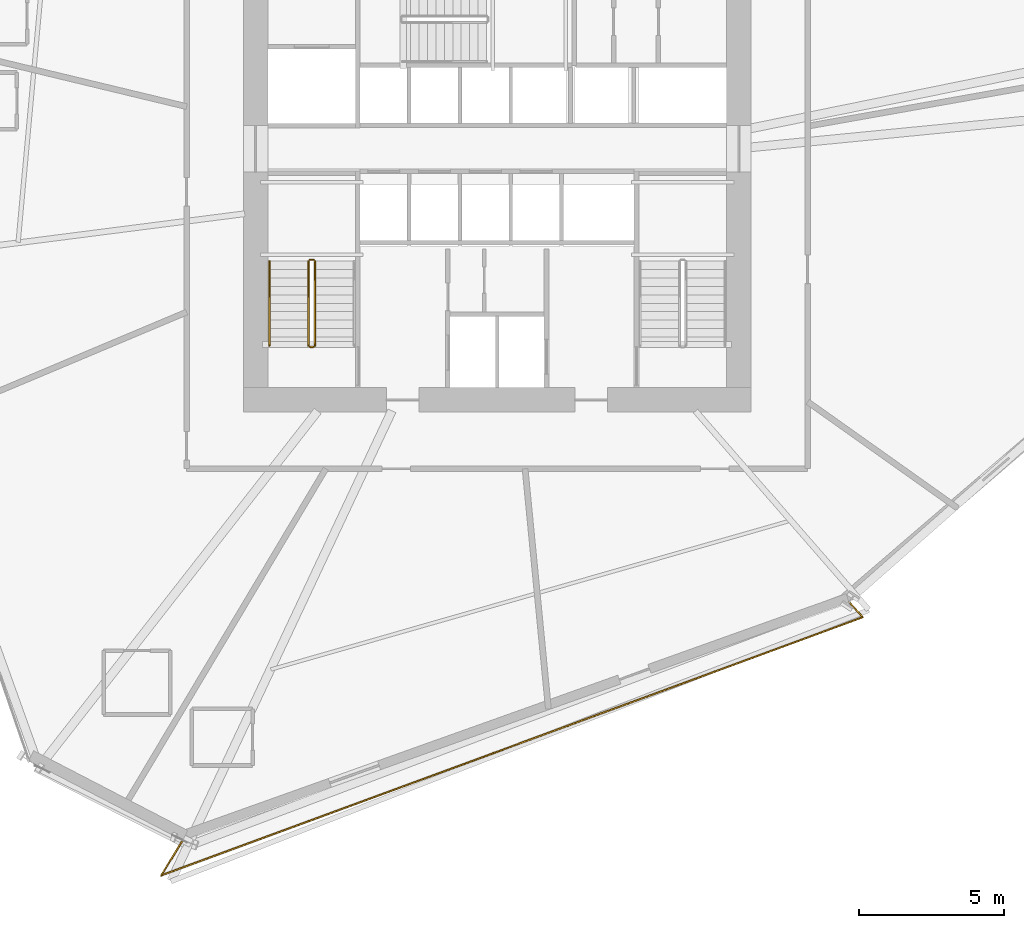
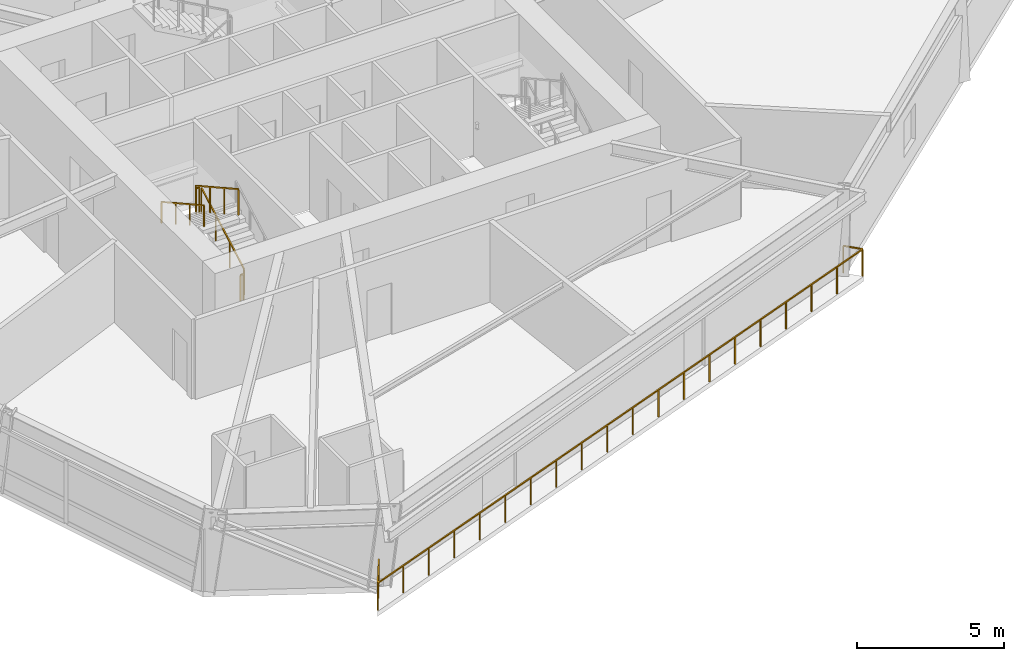
# One storey, part 19 of 22: 6 railings.
"""IFC4 building model written with IfcOpenShell, lengths in metres."""

from ifc_helpers import new_model, si_unit, direction, frame, origin, origin_2d, place, context, subcontext, project, spatial, rectangle, extrude, material, type_object, element, save


model = new_model("IFC4")

# Units and contexts
model_context = context("Model", 3, precision=1e-05, world=origin(), true_north=direction((0.0, 1.0)))
body_context = subcontext(model_context, "Body", "Model", "MODEL_VIEW")
ifc_project = project(units=[si_unit("LENGTHUNIT", "METRE"), si_unit("AREAUNIT", "SQUARE_METRE"), si_unit("VOLUMEUNIT", "CUBIC_METRE"), si_unit("PLANEANGLEUNIT", "RADIAN"), si_unit("MASSUNIT", "GRAM", prefix="KILO")], contexts=[model_context])

# Site, building, storey
site_placement = place(None, origin())
site = spatial("IfcSite", under=ifc_project, at=site_placement, CompositionType="ELEMENT")
building_placement = place(site_placement, origin())
building = spatial("IfcBuilding", under=site, at=building_placement, Name="Olszyna Solenne Hotel", CompositionType="ELEMENT")
storey_placement = place(building_placement, frame((0.0, 0.0, 61.25)))
storey = spatial("IfcBuildingStorey", under=building, at=storey_placement, Name="L15", CompositionType="ELEMENT", Elevation=61.25)

# Railings
ifc_material_1 = material(Name="Anodised bronze aluminium", Category="aluminium")
railing_type_1 = type_object("IfcRailingType", Name="GR-110", PredefinedType="BALUSTRADE", material=ifc_material_1)
railing_1_placement = place(storey_placement, frame((27.163818359375, 3.894287109375, 0.0)))
element("IfcRailing", 1, at=railing_1_placement, inside=storey, type_object=railing_type_1, Name="Loggia balcony balustrade guard GR-L15-LG3", PredefinedType="BALUSTRADE", context=body_context, shape_type="SweptSolid", body=[
    extrude(rectangle(XDim=0.048095703125, YDim=0.048095703125, at=origin_2d()), frame((0.0, 0.0, 1.1259765625), z_axis=(-0.523252068858, -0.852177958196, 0.0), x_axis=(0.852177958196, -0.523252068858, 0.0)), (0.0, 0.0, 1.0), 1.41845703125),
    extrude(rectangle(XDim=0.048095703125, YDim=0.048095703125, at=origin_2d()), frame((-0.7421875, -1.208740234375, 1.1259765625), z_axis=(0.938422206464, 0.345490611183, 0.0), x_axis=(-0.345490611183, 0.938422206464, 0.0)), (0.0, 0.0, 1.0), 25.763671875),
    extrude(rectangle(XDim=0.048095703125, YDim=0.048095703125, at=origin_2d()), frame((23.43505859375, 7.6923828125, 1.1259765625), z_axis=(-0.680233756315, 0.732995250168, 0.0), x_axis=(-0.732995250168, -0.680233756315, 0.0)), (0.0, 0.0, 1.0), 0.689453125),
    extrude(rectangle(XDim=0.0419921875, YDim=0.0419921875, at=origin_2d()), origin(), (0.0, 0.0, 1.0), 1.101806640625),
    extrude(rectangle(XDim=0.0419921875, YDim=0.0419921875, at=origin_2d()), frame((-0.37109375, -0.6044921875, 0.0)), (0.0, 0.0, 1.0), 1.101806640625),
    extrude(rectangle(XDim=0.0419921875, YDim=0.0419921875, at=origin_2d()), frame((-0.7421875, -1.208740234375, 0.0)), (0.0, 0.0, 1.0), 1.101806640625),
    extrude(rectangle(XDim=0.0419921875, YDim=0.0419921875, at=origin_2d()), frame((0.5302734375, -0.740234375, 0.0)), (0.0, 0.0, 1.0), 1.101806640625),
    extrude(rectangle(XDim=0.0419921875, YDim=0.0419921875, at=origin_2d()), frame((1.802734375, -0.271728515625, 0.0)), (0.0, 0.0, 1.0), 1.101806640625),
    extrude(rectangle(XDim=0.0419921875, YDim=0.0419921875, at=origin_2d()), frame((3.0751953125, 0.19677734375, 0.0)), (0.0, 0.0, 1.0), 1.101806640625),
    extrude(rectangle(XDim=0.0419921875, YDim=0.0419921875, at=origin_2d()), frame((4.34765625, 0.665283203125, 0.0)), (0.0, 0.0, 1.0), 1.101806640625),
    extrude(rectangle(XDim=0.0419921875, YDim=0.0419921875, at=origin_2d()), frame((5.620361328125, 1.133544921875, 0.0)), (0.0, 0.0, 1.0), 1.101806640625),
    extrude(rectangle(XDim=0.0419921875, YDim=0.0419921875, at=origin_2d()), frame((6.892822265625, 1.60205078125, 0.0)), (0.0, 0.0, 1.0), 1.101806640625),
    extrude(rectangle(XDim=0.0419921875, YDim=0.0419921875, at=origin_2d()), frame((8.165283203125, 2.070556640625, 0.0)), (0.0, 0.0, 1.0), 1.101806640625),
    extrude(rectangle(XDim=0.0419921875, YDim=0.0419921875, at=origin_2d()), frame((9.437744140625, 2.5390625, 0.0)), (0.0, 0.0, 1.0), 1.101806640625),
    extrude(rectangle(XDim=0.0419921875, YDim=0.0419921875, at=origin_2d()), frame((10.710205078125, 3.007568359375, 0.0)), (0.0, 0.0, 1.0), 1.101806640625),
    extrude(rectangle(XDim=0.0419921875, YDim=0.0419921875, at=origin_2d()), frame((11.982666015625, 3.47607421875, 0.0)), (0.0, 0.0, 1.0), 1.101806640625),
    extrude(rectangle(XDim=0.0419921875, YDim=0.0419921875, at=origin_2d()), frame((13.255126953125, 3.944580078125, 0.0)), (0.0, 0.0, 1.0), 1.101806640625),
    extrude(rectangle(XDim=0.0419921875, YDim=0.0419921875, at=origin_2d()), frame((14.527587890625, 4.4130859375, 0.0)), (0.0, 0.0, 1.0), 1.101806640625),
    extrude(rectangle(XDim=0.0419921875, YDim=0.0419921875, at=origin_2d()), frame((15.800048828125, 4.881591796875, 0.0)), (0.0, 0.0, 1.0), 1.101806640625),
    extrude(rectangle(XDim=0.0419921875, YDim=0.0419921875, at=origin_2d()), frame((17.072509765625, 5.35009765625, 0.0)), (0.0, 0.0, 1.0), 1.101806640625),
    extrude(rectangle(XDim=0.0419921875, YDim=0.0419921875, at=origin_2d()), frame((18.34521484375, 5.818359375, 0.0)), (0.0, 0.0, 1.0), 1.101806640625),
    extrude(rectangle(XDim=0.0419921875, YDim=0.0419921875, at=origin_2d()), frame((19.61767578125, 6.286865234375, 0.0)), (0.0, 0.0, 1.0), 1.101806640625),
    extrude(rectangle(XDim=0.0419921875, YDim=0.0419921875, at=origin_2d()), frame((20.89013671875, 6.75537109375, 0.0)), (0.0, 0.0, 1.0), 1.101806640625),
    extrude(rectangle(XDim=0.0419921875, YDim=0.0419921875, at=origin_2d()), frame((22.16259765625, 7.223876953125, 0.0)), (0.0, 0.0, 1.0), 1.101806640625),
    extrude(rectangle(XDim=0.0419921875, YDim=0.0419921875, at=origin_2d()), frame((23.43505859375, 7.6923828125, 0.0)), (0.0, 0.0, 1.0), 1.101806640625),
    extrude(rectangle(XDim=0.0419921875, YDim=0.0419921875, at=origin_2d()), frame((22.966064453125, 8.19775390625, 0.0)), (0.0, 0.0, 1.0), 1.101806640625),
])
railing_2_placement = place(storey_placement, frame((31.719970703125, 20.949951171875, 0.161376953125)))
element("IfcRailing", 2, at=railing_2_placement, inside=storey, type_object=railing_type_1, Name="L15 ST1 stair guard 1", PredefinedType="BALUSTRADE", context=body_context, shape_type="SweptSolid", body=[
    extrude(rectangle(XDim=0.048095703125, YDim=0.048095703125, at=origin_2d()), frame((0.0, 0.0, 1.076171875), z_axis=(0.0, 0.873858693841, 0.486179990537), x_axis=(-1.0, 0.0, 0.0)), (0.0, 0.0, 1.0), 3.31884765625),
    extrude(rectangle(XDim=0.0419921875, YDim=0.0419921875, at=origin_2d()), origin(), (0.0, 0.0, 1.0), 1.052001953125),
    extrude(rectangle(XDim=0.0419921875, YDim=0.0419921875, at=origin_2d()), frame((0.0, 0.966796875, 0.537841796875)), (0.0, 0.0, 1.0), 1.052001953125),
    extrude(rectangle(XDim=0.0419921875, YDim=0.0419921875, at=origin_2d()), frame((0.0, 1.933349609375, 1.07568359375)), (0.0, 0.0, 1.0), 1.052001953125),
    extrude(rectangle(XDim=0.0419921875, YDim=0.0419921875, at=origin_2d()), frame((0.0, 2.900146484375, 1.613525390625)), (0.0, 0.0, 1.0), 1.052001953125),
])
railing_3_placement = place(storey_placement, frame((31.669921875, 23.89990234375, 1.77490234375)))
element("IfcRailing", 3, at=railing_3_placement, inside=storey, type_object=railing_type_1, Name="L15 ST1 stair guard 2", PredefinedType="BALUSTRADE", context=body_context, shape_type="SweptSolid", body=[
    extrude(rectangle(XDim=0.048095703125, YDim=0.048095703125, at=origin_2d()), frame((0.0, 0.0, 1.076171875), z_axis=(-1.0, 0.0, 0.0), x_axis=(0.0, -1.0, 0.0)), (0.0, 0.0, 1.0), 0.119873046875),
    extrude(rectangle(XDim=0.0419921875, YDim=0.0419921875, at=origin_2d()), origin(), (0.0, 0.0, 1.0), 1.052001953125),
    extrude(rectangle(XDim=0.0419921875, YDim=0.0419921875, at=origin_2d()), frame((-0.119873046875, 0.0, 0.0)), (0.0, 0.0, 1.0), 1.052001953125),
])
railing_4_placement = place(storey_placement, frame((31.5, 23.85009765625, 1.936279296875)))
element("IfcRailing", 4, at=railing_4_placement, inside=storey, type_object=railing_type_1, Name="L15 ST1 stair guard 3", PredefinedType="BALUSTRADE", context=body_context, shape_type="SweptSolid", body=[
    extrude(rectangle(XDim=0.048095703125, YDim=0.048095703125, at=origin_2d()), frame((0.0, 0.0, 1.076171875), z_axis=(0.0, -0.873827439584, 0.48623616261), x_axis=(1.0, 0.0, 0.0)), (0.0, 0.0, 1.0), 3.31884765625),
    extrude(rectangle(XDim=0.0419921875, YDim=0.0419921875, at=origin_2d()), origin(), (0.0, 0.0, 1.0), 1.052001953125),
    extrude(rectangle(XDim=0.0419921875, YDim=0.0419921875, at=origin_2d()), frame((0.0, -0.966796875, 0.537841796875)), (0.0, 0.0, 1.0), 1.052001953125),
    extrude(rectangle(XDim=0.0419921875, YDim=0.0419921875, at=origin_2d()), frame((0.0, -1.933349609375, 1.075927734375)), (0.0, 0.0, 1.0), 1.052001953125),
    extrude(rectangle(XDim=0.0419921875, YDim=0.0419921875, at=origin_2d()), frame((0.0, -2.900146484375, 1.61376953125)), (0.0, 0.0, 1.0), 1.052001953125),
])
railing_5_placement = place(storey_placement, frame((31.669921875, 20.89990234375, 0.0)))
element("IfcRailing", 5, at=railing_5_placement, inside=storey, type_object=railing_type_1, Name="L15 ST1 stair guard 4", PredefinedType="BALUSTRADE", context=body_context, shape_type="SweptSolid", body=[
    extrude(rectangle(XDim=0.048095703125, YDim=0.048095703125, at=origin_2d()), frame((0.0, 0.0, 1.076171875), z_axis=(-1.0, 0.0, 0.0), x_axis=(0.0, -1.0, 0.0)), (0.0, 0.0, 1.0), 0.119873046875),
    extrude(rectangle(XDim=0.0419921875, YDim=0.0419921875, at=origin_2d()), origin(), (0.0, 0.0, 1.0), 1.052001953125),
    extrude(rectangle(XDim=0.0419921875, YDim=0.0419921875, at=origin_2d()), frame((-0.119873046875, 0.0, 0.0)), (0.0, 0.0, 1.0), 1.052001953125),
])
ifc_material_2 = material(Name="Steel S355J2", Category="steel")
railing_type_2 = type_object("IfcRailingType", Name="HR-090", PredefinedType="HANDRAIL", material=ifc_material_2)
railing_6_placement = place(storey_placement, frame((30.14990234375, 23.85009765625, 1.936279296875)))
element("IfcRailing", 6, at=railing_6_placement, inside=storey, type_object=railing_type_2, Name="L15 ST1 stair handrail 2", PredefinedType="HANDRAIL", context=body_context, shape_type="SweptSolid", body=[
    extrude(rectangle(XDim=0.048095703125, YDim=0.048095703125, at=origin_2d()), frame((0.0, 0.0, 0.8759765625), z_axis=(0.0, -0.873827439584, 0.48623616261), x_axis=(1.0, 0.0, 0.0)), (0.0, 0.0, 1.0), 3.31884765625),
    extrude(rectangle(XDim=0.0419921875, YDim=0.0419921875, at=origin_2d()), origin(), (0.0, 0.0, 1.0), 0.851806640625),
    extrude(rectangle(XDim=0.0419921875, YDim=0.0419921875, at=origin_2d()), frame((0.0, -0.966796875, 0.537841796875)), (0.0, 0.0, 1.0), 0.851806640625),
    extrude(rectangle(XDim=0.0419921875, YDim=0.0419921875, at=origin_2d()), frame((0.0, -1.933349609375, 1.075927734375)), (0.0, 0.0, 1.0), 0.851806640625),
    extrude(rectangle(XDim=0.0419921875, YDim=0.0419921875, at=origin_2d()), frame((0.0, -2.900146484375, 1.61376953125)), (0.0, 0.0, 1.0), 0.851806640625),
])

save(model, "model.ifc")
